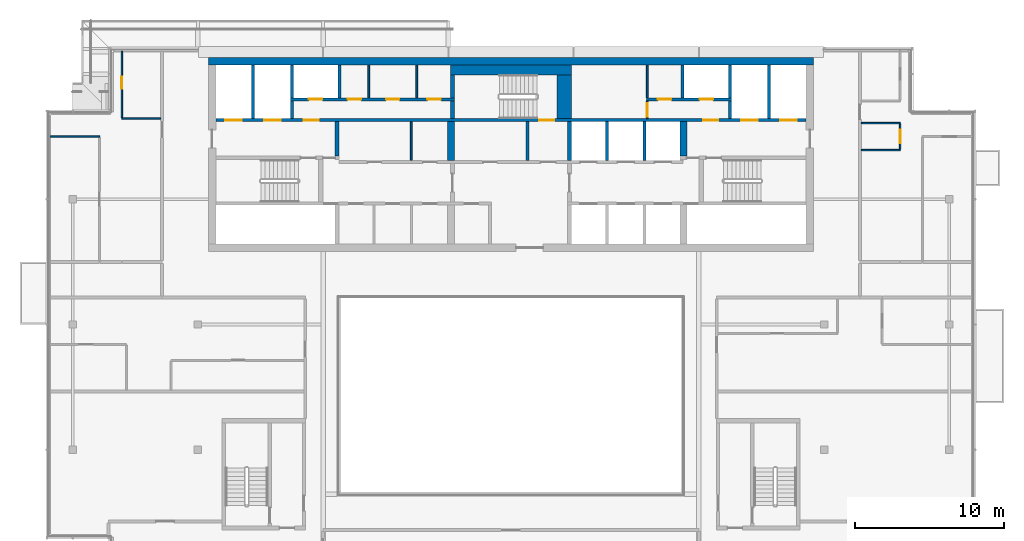
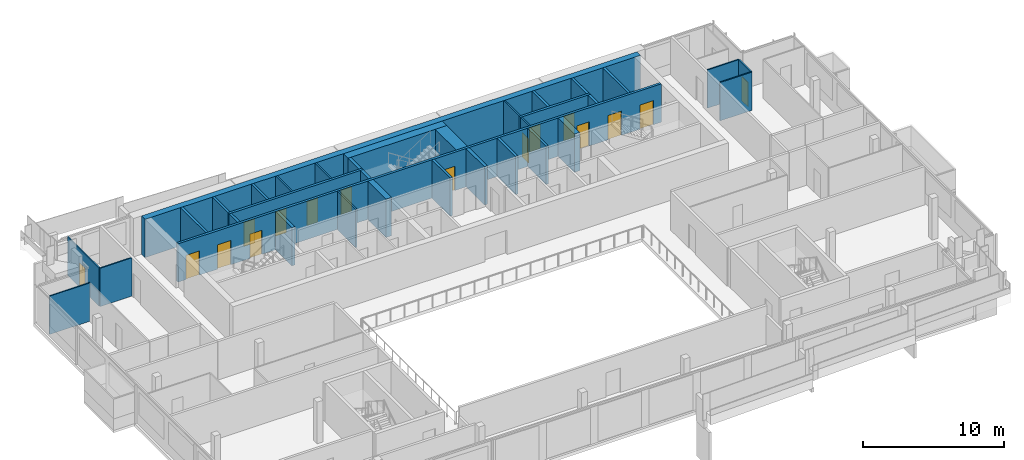
# One storey, part 14 of 21: 34 walls, 16 doors, 16 openings.
"""IFC4 building model written with IfcOpenShell, lengths in metres."""

from ifc_helpers import new_model, si_unit, direction, frame, frame_2d, origin, place, context, subcontext, project, spatial, rectangle, extrude, material, layer, layer_set, type_object, element, fill, save


model = new_model("IFC4")

# Units and contexts
model_context = context("Model", 3, precision=1e-05, world=origin(), true_north=direction((0.0, 1.0)))
body_context = subcontext(model_context, "Body", "Model", "MODEL_VIEW")
ifc_project = project(units=[si_unit("LENGTHUNIT", "METRE"), si_unit("AREAUNIT", "SQUARE_METRE"), si_unit("VOLUMEUNIT", "CUBIC_METRE"), si_unit("PLANEANGLEUNIT", "RADIAN"), si_unit("MASSUNIT", "GRAM", prefix="KILO")], contexts=[model_context])

# Site, building, storey
site_placement = place(None, origin())
site = spatial("IfcSite", under=ifc_project, at=site_placement, CompositionType="ELEMENT")
building_placement = place(site_placement, origin())
building = spatial("IfcBuilding", under=site, at=building_placement, Name="Saffron Gate Tower", CompositionType="ELEMENT")
storey_placement = place(building_placement, frame((0.0, 0.0, 288.75)))
storey = spatial("IfcBuildingStorey", under=building, at=storey_placement, Name="L70", CompositionType="ELEMENT", Elevation=288.75)

# Walls
ifc_material_1 = material(Name="Gypsum board partition on steel studs", Category="steel")
ifc_layer_1 = layer(ifc_material_1, 0.199951171875)
ifc_layer_set_1 = layer_set([ifc_layer_1], Name="CW10 Core partition 200")
wall_type_1 = type_object("IfcWallType", Name="CW10 Core partition 200", PredefinedType="PARTITIONING", material=ifc_layer_set_1)
wall_1_placement = place(storey_placement, frame((88.699951171875, 68.0, 0.0), z_axis=(0.0, 0.0, 1.0), x_axis=(0.0, 1.0, 0.0)))
element("IfcWall", 1, at=wall_1_placement, inside=storey, type_object=wall_type_1, Name="Wall CW10-L70-23", PredefinedType="PARTITIONING", context=body_context, shape_type="SweptSolid", body=[
    extrude(rectangle(XDim=2.60009765625, YDim=0.199951171875, at=frame_2d((1.300048828125, 0.0))), origin(), (0.0, 0.0, 1.0), 3.320068359375),
])
ifc_material_2 = material(Name="Concrete C50", Category="concrete")
ifc_layer_2 = layer(ifc_material_2, 0.5)
ifc_layer_set_2 = layer_set([ifc_layer_2], Name="CW22 RC core wall 500 C50")
wall_type_2 = type_object("IfcWallType", Name="CW22 RC core wall 500 C50", PredefinedType="SOLIDWALL", material=ifc_layer_set_2)
wall_2_placement = place(storey_placement, frame((67.300048828125, 74.64990234375, 0.0), z_axis=(0.0, 0.0, 1.0), x_axis=(1.0, 0.0, 0.0)))
element("IfcWall", 2, at=wall_2_placement, inside=storey, type_object=wall_type_2, Name="Wall CW22-L70-2", PredefinedType="SOLIDWALL", context=body_context, shape_type="SweptSolid", body=[
    extrude(rectangle(XDim=40.599853515625, YDim=0.5, at=frame_2d((20.2998046875, 0.0))), origin(), (0.0, 0.0, 1.0), 3.320068359375),
])
ifc_layer_3 = layer(ifc_material_2, 0.25)
ifc_layer_set_3 = layer_set([ifc_layer_3], Name="CW23 RC core wall 250 C50")
wall_type_3 = type_object("IfcWallType", Name="CW23 RC core wall 250 C50", PredefinedType="SOLIDWALL", material=ifc_layer_set_3)
wall_3_placement = place(storey_placement, frame((91.52490234375, 68.0, 0.0), z_axis=(0.0, 0.0, 1.0), x_axis=(0.0, 1.0, 0.0)))
element("IfcWall", 3, at=wall_3_placement, inside=storey, type_object=wall_type_3, Name="Wall CW23-L70-24", PredefinedType="SOLIDWALL", context=body_context, shape_type="SweptSolid", body=[
    extrude(rectangle(XDim=2.60009765625, YDim=0.25, at=frame_2d((1.300048828125, 0.0))), origin(), (0.0, 0.0, 1.0), 3.320068359375),
])
wall_4_placement = place(storey_placement, frame((75.925048828125, 68.300048828125, 0.0), z_axis=(0.0, 0.0, 1.0), x_axis=(0.0, 1.0, 0.0)))
element("IfcWall", 4, at=wall_4_placement, inside=storey, type_object=wall_type_3, Name="Wall CW23-L70-30", PredefinedType="SOLIDWALL", context=body_context, shape_type="SweptSolid", body=[
    extrude(rectangle(XDim=2.300048828125, YDim=0.25, at=frame_2d((1.14990234375, 0.0))), origin(), (0.0, 0.0, 1.0), 3.320068359375),
])
wall_5_placement = place(storey_placement, frame((83.675048828125, 70.800048828125, 0.0), z_axis=(0.0, 0.0, 1.0), x_axis=(0.0, 1.0, 0.0)))
element("IfcWall", 5, at=wall_5_placement, inside=storey, type_object=wall_type_3, Name="Wall CW23-L70-35", PredefinedType="SOLIDWALL", context=body_context, shape_type="SweptSolid", body=[
    extrude(rectangle(XDim=1.199951171875, YDim=0.25, at=frame_2d((0.60009765625, 0.0))), origin(), (0.0, 0.0, 1.0), 3.320068359375),
])
wall_6_placement = place(storey_placement, frame((83.675048828125, 72.199951171875, 0.0), z_axis=(0.0, 0.0, 1.0), x_axis=(0.0, 1.0, 0.0)))
element("IfcWall", 6, at=wall_6_placement, inside=storey, type_object=wall_type_3, Name="Wall CW23-L70-46", PredefinedType="SOLIDWALL", context=body_context, shape_type="SweptSolid", body=[
    extrude(rectangle(XDim=1.550048828125, YDim=0.25, at=frame_2d((0.77490234375, 0.0))), origin(), (0.0, 0.0, 1.0), 3.320068359375),
])
ifc_layer_4 = layer(ifc_material_2, 0.449951171875)
ifc_layer_set_4 = layer_set([ifc_layer_4], Name="CW24 RC core wall 450 C50")
wall_type_4 = type_object("IfcWallType", Name="CW24 RC core wall 450 C50", PredefinedType="SOLIDWALL", material=ifc_layer_set_4)
wall_7_placement = place(storey_placement, frame((83.574951171875, 68.0, 0.0), z_axis=(0.0, 0.0, 1.0), x_axis=(0.0, 1.0, 0.0)))
element("IfcWall", 7, at=wall_7_placement, inside=storey, type_object=wall_type_4, Name="Wall CW24-L70-22", PredefinedType="SOLIDWALL", context=body_context, shape_type="SweptSolid", body=[
    extrude(rectangle(XDim=2.60009765625, YDim=0.449951171875, at=frame_2d((1.300048828125, 0.0))), origin(), (0.0, 0.0, 1.0), 3.320068359375),
])
wall_8_placement = place(storey_placement, frame((99.175048828125, 68.300048828125, 0.0), z_axis=(0.0, 0.0, 1.0), x_axis=(0.0, 1.0, 0.0)))
element("IfcWall", 8, at=wall_8_placement, inside=storey, type_object=wall_type_4, Name="Wall CW24-L70-31", PredefinedType="SOLIDWALL", context=body_context, shape_type="SweptSolid", body=[
    extrude(rectangle(XDim=2.300048828125, YDim=0.449951171875, at=frame_2d((1.14990234375, 0.0))), origin(), (0.0, 0.0, 1.0), 3.320068359375),
])
ifc_layer_5 = layer(ifc_material_2, 0.199951171875)
ifc_layer_set_5 = layer_set([ifc_layer_5], Name="CW25 RC core wall 200 C50")
wall_type_5 = type_object("IfcWallType", Name="CW25 RC core wall 200 C50", PredefinedType="SOLIDWALL", material=ifc_layer_set_5)
for number, where, z_axis, x_axis, name in (
    (9, (94.050048828125, 68.0, 0.0), (0.0, 0.0, 1.0), (0.0, 1.0, 0.0), "Wall CW25-L70-25"),
    (10, (96.550048828125, 68.0, 0.0), (0.0, 0.0, 1.0), (0.0, 1.0, 0.0), "Wall CW25-L70-26"),
):
    element("IfcWall", number, at=place(storey_placement, frame(where, z_axis=z_axis, x_axis=x_axis)), inside=storey, type_object=wall_type_5, Name=name, PredefinedType="SOLIDWALL", context=body_context, shape_type="SweptSolid", body=[
        extrude(rectangle(XDim=2.60009765625, YDim=0.199951171875, at=frame_2d((1.300048828125, 0.0))), origin(), (0.0, 0.0, 1.0), 3.320068359375),
    ])

# Wall, openings, doors
wall_9_placement = place(storey_placement, frame((67.800048828125, 70.699951171875, 0.0), z_axis=(0.0, 0.0, 1.0), x_axis=(1.0, 0.0, 0.0)))
wall_9 = element("IfcWall", 11, at=wall_9_placement, inside=storey, type_object=wall_type_5, Name="Wall CW25-L70-32", PredefinedType="SOLIDWALL", context=body_context, shape_type="SweptSolid", body=[
    extrude(rectangle(XDim=39.599853515625, YDim=0.199951171875, at=frame_2d((19.7998046875, 0.0))), origin(), (0.0, 0.0, 1.0), 3.320068359375),
])
opening_1_placement = place(wall_9_placement, frame((0.64990234375, 0.0, 0.0)))
opening_1 = element("IfcOpeningElement", 12, at=opening_1_placement, cuts=wall_9, Name="Opening LD-FF1", PredefinedType="OPENING", context=body_context, shape_type="SweptSolid", body=[
    extrude(rectangle(XDim=1.10009765625, YDim=2.10009765625, at=frame_2d((0.550048828125, 1.050048828125))), frame((0.0, 0.10986328125, 0.0), z_axis=(0.0, -1.0, 0.0), x_axis=(1.0, 0.0, 0.0)), (0.0, 0.0, 1.0), 0.219970703125),
])
opening_2_placement = place(wall_9_placement, frame((3.25, 0.0, 0.0)))
opening_2 = element("IfcOpeningElement", 13, at=opening_2_placement, cuts=wall_9, Name="Opening LD-SV1", PredefinedType="OPENING", context=body_context, shape_type="SweptSolid", body=[
    extrude(rectangle(XDim=1.10009765625, YDim=2.10009765625, at=frame_2d((0.550048828125, 1.050048828125))), frame((0.0, 0.10986328125, 0.0), z_axis=(0.0, -1.0, 0.0), x_axis=(1.0, 0.0, 0.0)), (0.0, 0.0, 1.0), 0.219970703125),
])
opening_3_placement = place(wall_9_placement, frame((5.89990234375, 0.0, 0.0)))
opening_3 = element("IfcOpeningElement", 14, at=opening_3_placement, cuts=wall_9, Name="Opening CR-03", PredefinedType="OPENING", context=body_context, shape_type="SweptSolid", body=[
    extrude(rectangle(XDim=1.0, YDim=2.10009765625, at=frame_2d((0.5, 1.050048828125))), frame((0.0, 0.10986328125, 0.0), z_axis=(0.0, -1.0, 0.0), x_axis=(1.0, 0.0, 0.0)), (0.0, 0.0, 1.0), 0.219970703125),
])
opening_4_placement = place(wall_9_placement, frame((21.699951171875, 0.0, 0.0)))
opening_4 = element("IfcOpeningElement", 15, at=opening_4_placement, cuts=wall_9, Name="Opening CR-17", PredefinedType="OPENING", context=body_context, shape_type="SweptSolid", body=[
    extrude(rectangle(XDim=1.0, YDim=2.10009765625, at=frame_2d((0.5, 1.050048828125))), frame((0.0, 0.10986328125, 0.0), z_axis=(0.0, -1.0, 0.0), x_axis=(1.0, 0.0, 0.0)), (0.0, 0.0, 1.0), 0.219970703125),
])
opening_5_placement = place(wall_9_placement, frame((32.699951171875, 0.0, 0.0)))
opening_5 = element("IfcOpeningElement", 16, at=opening_5_placement, cuts=wall_9, Name="Opening CR-04", PredefinedType="OPENING", context=body_context, shape_type="SweptSolid", body=[
    extrude(rectangle(XDim=1.0, YDim=2.10009765625, at=frame_2d((0.5, 1.050048828125))), frame((0.0, 0.10986328125, 0.0), z_axis=(0.0, -1.0, 0.0), x_axis=(1.0, 0.0, 0.0)), (0.0, 0.0, 1.0), 0.219970703125),
])
opening_6_placement = place(wall_9_placement, frame((35.25, 0.0, 0.0)))
opening_6 = element("IfcOpeningElement", 17, at=opening_6_placement, cuts=wall_9, Name="Opening LD-SV2", PredefinedType="OPENING", context=body_context, shape_type="SweptSolid", body=[
    extrude(rectangle(XDim=1.10009765625, YDim=2.10009765625, at=frame_2d((0.550048828125, 1.050048828125))), frame((0.0, 0.10986328125, 0.0), z_axis=(0.0, -1.0, 0.0), x_axis=(1.0, 0.0, 0.0)), (0.0, 0.0, 1.0), 0.219970703125),
])
opening_7_placement = place(wall_9_placement, frame((37.85009765625, 0.0, 0.0)))
opening_7 = element("IfcOpeningElement", 18, at=opening_7_placement, cuts=wall_9, Name="Opening LD-FF2", PredefinedType="OPENING", context=body_context, shape_type="SweptSolid", body=[
    extrude(rectangle(XDim=1.10009765625, YDim=2.10009765625, at=frame_2d((0.550048828125, 1.050048828125))), frame((0.0, 0.10986328125, 0.0), z_axis=(0.0, -1.0, 0.0), x_axis=(1.0, 0.0, 0.0)), (0.0, 0.0, 1.0), 0.219970703125),
])
ifc_material_3 = material(Name="Steel fire door set", Category="steel")
door_type_1 = type_object("IfcDoorType", Name="CD4 Lobby door 1000x2100 EI 120", OperationType="NOTDEFINED", PredefinedType="DOOR", material=ifc_material_3)
door_1_placement = place(opening_3_placement, origin())
door_1 = element("IfcDoor", 19, at=door_1_placement, inside=storey, type_object=door_type_1, Name="DOOR CR-03", OperationType="SINGLE_SWING_LEFT", OverallHeight=2.10009765625, OverallWidth=1.0, PredefinedType="DOOR", context=body_context, shape_type="SweptSolid", body=[
    extrude(rectangle(XDim=1.0, YDim=2.10009765625, at=frame_2d((0.5, 1.050048828125))), frame((0.0, 0.02490234375, 0.0), z_axis=(0.0, -1.0, 0.0), x_axis=(1.0, 0.0, 0.0)), (0.0, 0.0, 1.0), 0.050048828125),
])
fill(opening_3, door_1)
door_2_placement = place(opening_5_placement, origin())
door_2 = element("IfcDoor", 20, at=door_2_placement, inside=storey, type_object=door_type_1, Name="DOOR CR-04", OperationType="SINGLE_SWING_RIGHT", OverallHeight=2.10009765625, OverallWidth=1.0, PredefinedType="DOOR", context=body_context, shape_type="SweptSolid", body=[
    extrude(rectangle(XDim=1.0, YDim=2.10009765625, at=frame_2d((0.5, 1.050048828125))), frame((0.0, 0.02490234375, 0.0), z_axis=(0.0, -1.0, 0.0), x_axis=(1.0, 0.0, 0.0)), (0.0, 0.0, 1.0), 0.050048828125),
])
fill(opening_5, door_2)
door_type_2 = type_object("IfcDoorType", Name="CD5 Stair door 1000x2100 EI 120", OperationType="NOTDEFINED", PredefinedType="DOOR", material=ifc_material_3)
door_3_placement = place(opening_4_placement, origin())
door_3 = element("IfcDoor", 21, at=door_3_placement, inside=storey, type_object=door_type_2, Name="DOOR CR-17", OperationType="SINGLE_SWING_RIGHT", OverallHeight=2.10009765625, OverallWidth=1.0, PredefinedType="DOOR", context=body_context, shape_type="SweptSolid", body=[
    extrude(rectangle(XDim=1.0, YDim=2.10009765625, at=frame_2d((0.5, 1.050048828125))), frame((0.0, 0.02490234375, 0.0), z_axis=(0.0, -1.0, 0.0), x_axis=(1.0, 0.0, 0.0)), (0.0, 0.0, 1.0), 0.050048828125),
])
fill(opening_4, door_3)
ifc_material_4 = material(Name="Stainless steel landing door", Category="steel")
door_type_3 = type_object("IfcDoorType", Name="LD Lift landing door 1100x2100 EI 120", OperationType="SLIDING_TO_LEFT", PredefinedType="DOOR", material=ifc_material_4)
door_4_placement = place(opening_1_placement, origin())
door_4 = element("IfcDoor", 22, at=door_4_placement, inside=storey, type_object=door_type_3, Name="LANDING DOOR LD-FF1", OperationType="SLIDING_TO_RIGHT", OverallHeight=2.10009765625, OverallWidth=1.10009765625, PredefinedType="DOOR", context=body_context, shape_type="SweptSolid", body=[
    extrude(rectangle(XDim=1.10009765625, YDim=2.10009765625, at=frame_2d((0.550048828125, 1.050048828125))), frame((0.0, 0.02490234375, 0.0), z_axis=(0.0, -1.0, 0.0), x_axis=(1.0, 0.0, 0.0)), (0.0, 0.0, 1.0), 0.050048828125),
])
fill(opening_1, door_4)
door_5_placement = place(opening_2_placement, origin())
door_5 = element("IfcDoor", 23, at=door_5_placement, inside=storey, type_object=door_type_3, Name="LANDING DOOR LD-SV1", OperationType="SLIDING_TO_RIGHT", OverallHeight=2.10009765625, OverallWidth=1.10009765625, PredefinedType="DOOR", context=body_context, shape_type="SweptSolid", body=[
    extrude(rectangle(XDim=1.10009765625, YDim=2.10009765625, at=frame_2d((0.550048828125, 1.050048828125))), frame((0.0, 0.02490234375, 0.0), z_axis=(0.0, -1.0, 0.0), x_axis=(1.0, 0.0, 0.0)), (0.0, 0.0, 1.0), 0.050048828125),
])
fill(opening_2, door_5)
door_6_placement = place(opening_6_placement, origin())
door_6 = element("IfcDoor", 24, at=door_6_placement, inside=storey, type_object=door_type_3, Name="LANDING DOOR LD-SV2", OperationType="SLIDING_TO_RIGHT", OverallHeight=2.10009765625, OverallWidth=1.10009765625, PredefinedType="DOOR", context=body_context, shape_type="SweptSolid", body=[
    extrude(rectangle(XDim=1.10009765625, YDim=2.10009765625, at=frame_2d((0.550048828125, 1.050048828125))), frame((0.0, 0.02490234375, 0.0), z_axis=(0.0, -1.0, 0.0), x_axis=(1.0, 0.0, 0.0)), (0.0, 0.0, 1.0), 0.050048828125),
])
fill(opening_6, door_6)
door_7_placement = place(opening_7_placement, origin())
door_7 = element("IfcDoor", 25, at=door_7_placement, inside=storey, type_object=door_type_3, Name="LANDING DOOR LD-FF2", OperationType="SLIDING_TO_RIGHT", OverallHeight=2.10009765625, OverallWidth=1.10009765625, PredefinedType="DOOR", context=body_context, shape_type="SweptSolid", body=[
    extrude(rectangle(XDim=1.10009765625, YDim=2.10009765625, at=frame_2d((0.550048828125, 1.050048828125))), frame((0.0, 0.02490234375, 0.0), z_axis=(0.0, -1.0, 0.0), x_axis=(1.0, 0.0, 0.0)), (0.0, 0.0, 1.0), 0.050048828125),
])
fill(opening_7, door_7)

# Walls
wall_10_placement = place(storey_placement, frame((70.300048828125, 70.800048828125, 0.0), z_axis=(0.0, 0.0, 1.0), x_axis=(0.0, 1.0, 0.0)))
element("IfcWall", 26, at=wall_10_placement, inside=storey, type_object=wall_type_5, Name="Wall CW25-L70-33", PredefinedType="SOLIDWALL", context=body_context, shape_type="SweptSolid", body=[
    extrude(rectangle(XDim=3.599853515625, YDim=0.199951171875, at=frame_2d((1.7998046875, 0.0))), origin(), (0.0, 0.0, 1.0), 3.320068359375),
])
for number, where, z_axis, x_axis, name in (
    (27, (72.89990234375, 70.800048828125, 0.0), (0.0, 0.0, 1.0), (0.0, 1.0, 0.0), "Wall CW25-L70-34"),
    (28, (102.300048828125, 70.800048828125, 0.0), (0.0, 0.0, 1.0), (0.0, 1.0, 0.0), "Wall CW25-L70-38"),
):
    element("IfcWall", number, at=place(storey_placement, frame(where, z_axis=z_axis, x_axis=x_axis)), inside=storey, type_object=wall_type_5, Name=name, PredefinedType="SOLIDWALL", context=body_context, shape_type="SweptSolid", body=[
        extrude(rectangle(XDim=1.199951171875, YDim=0.199951171875, at=frame_2d((0.60009765625, 0.0))), origin(), (0.0, 0.0, 1.0), 3.320068359375),
    ])
wall_11_placement = place(storey_placement, frame((104.89990234375, 70.800048828125, 0.0), z_axis=(0.0, 0.0, 1.0), x_axis=(0.0, 1.0, 0.0)))
element("IfcWall", 29, at=wall_11_placement, inside=storey, type_object=wall_type_5, Name="Wall CW25-L70-39", PredefinedType="SOLIDWALL", context=body_context, shape_type="SweptSolid", body=[
    extrude(rectangle(XDim=3.599853515625, YDim=0.199951171875, at=frame_2d((1.7998046875, 0.0))), origin(), (0.0, 0.0, 1.0), 3.320068359375),
])

# Wall, openings, doors
wall_12_placement = place(storey_placement, frame((72.800048828125, 72.10009765625, 0.0), z_axis=(0.0, 0.0, 1.0), x_axis=(1.0, 0.0, 0.0)))
wall_12 = element("IfcWall", 30, at=wall_12_placement, inside=storey, type_object=wall_type_5, Name="Wall CW25-L70-40", PredefinedType="SOLIDWALL", context=body_context, shape_type="SweptSolid", body=[
    extrude(rectangle(XDim=11.0, YDim=0.199951171875, at=frame_2d((5.5, 0.0))), origin(), (0.0, 0.0, 1.0), 3.320068359375),
])
opening_8_placement = place(wall_12_placement, frame((1.25, 0.0, 0.0)))
opening_8 = element("IfcOpeningElement", 31, at=opening_8_placement, cuts=wall_12, Name="Opening CR-71", PredefinedType="OPENING", context=body_context, shape_type="SweptSolid", body=[
    extrude(rectangle(XDim=0.89990234375, YDim=2.10009765625, at=frame_2d((0.449951171875, 1.050048828125))), frame((0.0, 0.10986328125, 0.0), z_axis=(0.0, -1.0, 0.0), x_axis=(1.0, 0.0, 0.0)), (0.0, 0.0, 1.0), 0.219970703125),
])
opening_9_placement = place(wall_12_placement, frame((3.85009765625, 0.0, 0.0)))
opening_9 = element("IfcOpeningElement", 32, at=opening_9_placement, cuts=wall_12, Name="Opening CR-55", PredefinedType="OPENING", context=body_context, shape_type="SweptSolid", body=[
    extrude(rectangle(XDim=0.89990234375, YDim=2.10009765625, at=frame_2d((0.449951171875, 1.050048828125))), frame((0.0, 0.10986328125, 0.0), z_axis=(0.0, -1.0, 0.0), x_axis=(1.0, 0.0, 0.0)), (0.0, 0.0, 1.0), 0.219970703125),
])
opening_10_placement = place(wall_12_placement, frame((6.419921875, 0.0, 0.0)))
opening_10 = element("IfcOpeningElement", 33, at=opening_10_placement, cuts=wall_12, Name="Opening CR-58", PredefinedType="OPENING", context=body_context, shape_type="SweptSolid", body=[
    extrude(rectangle(XDim=0.89990234375, YDim=2.10009765625, at=frame_2d((0.449951171875, 1.050048828125))), frame((0.0, 0.10986328125, 0.0), z_axis=(0.0, -1.0, 0.0), x_axis=(1.0, 0.0, 0.0)), (0.0, 0.0, 1.0), 0.219970703125),
])
opening_11_placement = place(wall_12_placement, frame((9.195068359375, 0.0, 0.0)))
opening_11 = element("IfcOpeningElement", 34, at=opening_11_placement, cuts=wall_12, Name="Opening CR-59", PredefinedType="OPENING", context=body_context, shape_type="SweptSolid", body=[
    extrude(rectangle(XDim=0.89990234375, YDim=2.10009765625, at=frame_2d((0.449951171875, 1.050048828125))), frame((0.0, 0.10986328125, 0.0), z_axis=(0.0, -1.0, 0.0), x_axis=(1.0, 0.0, 0.0)), (0.0, 0.0, 1.0), 0.219970703125),
])
door_type_4 = type_object("IfcDoorType", Name="CD2 Riser door 900x2100 EI 60", OperationType="NOTDEFINED", PredefinedType="DOOR", material=ifc_material_3)
door_8_placement = place(opening_8_placement, origin())
door_8 = element("IfcDoor", 35, at=door_8_placement, inside=storey, type_object=door_type_4, Name="DOOR CR-71", OperationType="SINGLE_SWING_LEFT", OverallHeight=2.10009765625, OverallWidth=0.89990234375, PredefinedType="DOOR", context=body_context, shape_type="SweptSolid", body=[
    extrude(rectangle(XDim=0.89990234375, YDim=2.10009765625, at=frame_2d((0.449951171875, 1.050048828125))), frame((0.0, 0.02490234375, 0.0), z_axis=(0.0, -1.0, 0.0), x_axis=(1.0, 0.0, 0.0)), (0.0, 0.0, 1.0), 0.050048828125),
])
fill(opening_8, door_8)
door_type_5 = type_object("IfcDoorType", Name="CD9 Room door 900x2100 EI 60", OperationType="NOTDEFINED", PredefinedType="DOOR", material=ifc_material_3)
door_9_placement = place(opening_9_placement, origin())
door_9 = element("IfcDoor", 36, at=door_9_placement, inside=storey, type_object=door_type_5, Name="DOOR CR-55", OperationType="SINGLE_SWING_LEFT", OverallHeight=2.10009765625, OverallWidth=0.89990234375, PredefinedType="DOOR", context=body_context, shape_type="SweptSolid", body=[
    extrude(rectangle(XDim=0.89990234375, YDim=2.10009765625, at=frame_2d((0.449951171875, 1.050048828125))), frame((0.0, 0.02490234375, 0.0), z_axis=(0.0, -1.0, 0.0), x_axis=(1.0, 0.0, 0.0)), (0.0, 0.0, 1.0), 0.050048828125),
])
fill(opening_9, door_9)
door_10_placement = place(opening_10_placement, origin())
door_10 = element("IfcDoor", 37, at=door_10_placement, inside=storey, type_object=door_type_5, Name="DOOR CR-58", OperationType="SINGLE_SWING_LEFT", OverallHeight=2.10009765625, OverallWidth=0.89990234375, PredefinedType="DOOR", context=body_context, shape_type="SweptSolid", body=[
    extrude(rectangle(XDim=0.89990234375, YDim=2.10009765625, at=frame_2d((0.449951171875, 1.050048828125))), frame((0.0, 0.02490234375, 0.0), z_axis=(0.0, -1.0, 0.0), x_axis=(1.0, 0.0, 0.0)), (0.0, 0.0, 1.0), 0.050048828125),
])
fill(opening_10, door_10)
door_11_placement = place(opening_11_placement, origin())
door_11 = element("IfcDoor", 38, at=door_11_placement, inside=storey, type_object=door_type_5, Name="DOOR CR-59", OperationType="SINGLE_SWING_LEFT", OverallHeight=2.10009765625, OverallWidth=0.89990234375, PredefinedType="DOOR", context=body_context, shape_type="SweptSolid", body=[
    extrude(rectangle(XDim=0.89990234375, YDim=2.10009765625, at=frame_2d((0.449951171875, 1.050048828125))), frame((0.0, 0.02490234375, 0.0), z_axis=(0.0, -1.0, 0.0), x_axis=(1.0, 0.0, 0.0)), (0.0, 0.0, 1.0), 0.050048828125),
])
fill(opening_11, door_11)

wall_13_placement = place(storey_placement, frame((96.679931640625, 72.10009765625, 0.0), z_axis=(0.0, 0.0, 1.0), x_axis=(1.0, 0.0, 0.0)))
wall_13 = element("IfcWall", 39, at=wall_13_placement, inside=storey, type_object=wall_type_5, Name="Wall CW25-L70-41", PredefinedType="SOLIDWALL", context=body_context, shape_type="SweptSolid", body=[
    extrude(rectangle(XDim=5.719970703125, YDim=0.199951171875, at=frame_2d((2.85986328125, 0.0))), origin(), (0.0, 0.0, 1.0), 3.320068359375),
])
opening_12_placement = place(wall_13_placement, frame((0.77001953125, 0.0, 0.0)))
opening_12 = element("IfcOpeningElement", 40, at=opening_12_placement, cuts=wall_13, Name="Opening CR-50", PredefinedType="OPENING", context=body_context, shape_type="SweptSolid", body=[
    extrude(rectangle(XDim=0.89990234375, YDim=2.10009765625, at=frame_2d((0.449951171875, 1.050048828125))), frame((0.0, 0.10986328125, 0.0), z_axis=(0.0, -1.0, 0.0), x_axis=(1.0, 0.0, 0.0)), (0.0, 0.0, 1.0), 0.219970703125),
])
opening_13_placement = place(wall_13_placement, frame((3.570068359375, 0.0, 0.0)))
opening_13 = element("IfcOpeningElement", 41, at=opening_13_placement, cuts=wall_13, Name="Opening CR-70", PredefinedType="OPENING", context=body_context, shape_type="SweptSolid", body=[
    extrude(rectangle(XDim=0.89990234375, YDim=2.10009765625, at=frame_2d((0.449951171875, 1.050048828125))), frame((0.0, 0.10986328125, 0.0), z_axis=(0.0, -1.0, 0.0), x_axis=(1.0, 0.0, 0.0)), (0.0, 0.0, 1.0), 0.219970703125),
])
door_12_placement = place(opening_13_placement, origin())
door_12 = element("IfcDoor", 42, at=door_12_placement, inside=storey, type_object=door_type_4, Name="DOOR CR-70", OperationType="SINGLE_SWING_LEFT", OverallHeight=2.10009765625, OverallWidth=0.89990234375, PredefinedType="DOOR", context=body_context, shape_type="SweptSolid", body=[
    extrude(rectangle(XDim=0.89990234375, YDim=2.10009765625, at=frame_2d((0.449951171875, 1.050048828125))), frame((0.0, 0.02490234375, 0.0), z_axis=(0.0, -1.0, 0.0), x_axis=(1.0, 0.0, 0.0)), (0.0, 0.0, 1.0), 0.050048828125),
])
fill(opening_13, door_12)
door_13_placement = place(opening_12_placement, origin())
door_13 = element("IfcDoor", 43, at=door_13_placement, inside=storey, type_object=door_type_5, Name="DOOR CR-50", OperationType="SINGLE_SWING_LEFT", OverallHeight=2.10009765625, OverallWidth=0.89990234375, PredefinedType="DOOR", context=body_context, shape_type="SweptSolid", body=[
    extrude(rectangle(XDim=0.89990234375, YDim=2.10009765625, at=frame_2d((0.449951171875, 1.050048828125))), frame((0.0, 0.02490234375, 0.0), z_axis=(0.0, -1.0, 0.0), x_axis=(1.0, 0.0, 0.0)), (0.0, 0.0, 1.0), 0.050048828125),
])
fill(opening_12, door_13)

# Walls
for number, where, z_axis, x_axis, name in (
    (44, (72.89990234375, 72.199951171875, 0.0), (0.0, 0.0, 1.0), (0.0, 1.0, 0.0), "Wall CW25-L70-42"),
    (45, (76.10009765625, 72.199951171875, 0.0), (0.0, 0.0, 1.0), (0.0, 1.0, 0.0), "Wall CW25-L70-43"),
    (46, (99.10009765625, 72.199951171875, 0.0), (0.0, 0.0, 1.0), (0.0, 1.0, 0.0), "Wall CW25-L70-48"),
    (47, (102.300048828125, 72.199951171875, 0.0), (0.0, 0.0, 1.0), (0.0, 1.0, 0.0), "Wall CW25-L70-49"),
):
    element("IfcWall", number, at=place(storey_placement, frame(where, z_axis=z_axis, x_axis=x_axis)), inside=storey, type_object=wall_type_5, Name=name, PredefinedType="SOLIDWALL", context=body_context, shape_type="SweptSolid", body=[
        extrude(rectangle(XDim=2.199951171875, YDim=0.199951171875, at=frame_2d((1.10009765625, 0.0))), origin(), (0.0, 0.0, 1.0), 3.320068359375),
    ])
ifc_layer_6 = layer(ifc_material_2, 0.949951171875)
ifc_layer_set_6 = layer_set([ifc_layer_6], Name="CW28 RC core wall 950 C50")
wall_type_6 = type_object("IfcWallType", Name="CW28 RC core wall 950 C50", PredefinedType="SOLIDWALL", material=ifc_layer_set_6)
wall_14_placement = place(storey_placement, frame((91.175048828125, 70.800048828125, 0.0), z_axis=(0.0, 0.0, 1.0), x_axis=(0.0, 1.0, 0.0)))
element("IfcWall", 48, at=wall_14_placement, inside=storey, type_object=wall_type_6, Name="Wall CW28-L70-36", PredefinedType="SOLIDWALL", context=body_context, shape_type="SweptSolid", body=[
    extrude(rectangle(XDim=2.949951171875, YDim=0.949951171875, at=frame_2d((1.47509765625, 0.0))), origin(), (0.0, 0.0, 1.0), 3.320068359375),
])
ifc_layer_7 = layer(ifc_material_2, 0.64990234375)
ifc_layer_set_7 = layer_set([ifc_layer_7], Name="CW29 RC core wall 650 C50")
wall_type_7 = type_object("IfcWallType", Name="CW29 RC core wall 650 C50", PredefinedType="SOLIDWALL", material=ifc_layer_set_7)
wall_15_placement = place(storey_placement, frame((83.550048828125, 74.074951171875, 0.0), z_axis=(0.0, 0.0, 1.0), x_axis=(1.0, 0.0, 0.0)))
element("IfcWall", 49, at=wall_15_placement, inside=storey, type_object=wall_type_7, Name="Wall CW29-L70-50", PredefinedType="SOLIDWALL", context=body_context, shape_type="SweptSolid", body=[
    extrude(rectangle(XDim=8.099853515625, YDim=0.64990234375, at=frame_2d((4.0498046875, 0.0))), origin(), (0.0, 0.0, 1.0), 3.320068359375),
])
ifc_layer_8 = layer(ifc_material_1, 0.1201171875)
ifc_layer_set_8 = layer_set([ifc_layer_8], Name="CW8 Core partition 120")
wall_type_8 = type_object("IfcWallType", Name="CW8 Core partition 120", PredefinedType="PARTITIONING", material=ifc_layer_set_8)
wall_16_placement = place(storey_placement, frame((80.909912109375, 68.0, 0.0), z_axis=(0.0, 0.0, 1.0), x_axis=(0.0, 1.0, 0.0)))
element("IfcWall", 50, at=wall_16_placement, inside=storey, type_object=wall_type_8, Name="Wall CW8-L70-21", PredefinedType="PARTITIONING", context=body_context, shape_type="SweptSolid", body=[
    extrude(rectangle(XDim=2.60009765625, YDim=0.1201171875, at=frame_2d((1.300048828125, 0.0))), origin(), (0.0, 0.0, 1.0), 3.320068359375),
])

# Wall, opening, door
wall_17_placement = place(storey_placement, frame((96.739990234375, 70.800048828125, 0.0), z_axis=(0.0, 0.0, 1.0), x_axis=(0.0, 1.0, 0.0)))
wall_17 = element("IfcWall", 51, at=wall_17_placement, inside=storey, type_object=wall_type_8, Name="Wall CW8-L70-37", PredefinedType="PARTITIONING", context=body_context, shape_type="SweptSolid", body=[
    extrude(rectangle(XDim=1.199951171875, YDim=0.1201171875, at=frame_2d((0.60009765625, 0.0))), origin(), (0.0, 0.0, 1.0), 3.320068359375),
])
opening_14_placement = place(wall_17_placement, frame((0.14990234375, 0.0, 0.0)))
opening_14 = element("IfcOpeningElement", 52, at=opening_14_placement, cuts=wall_17, Name="Opening CR-54", PredefinedType="OPENING", context=body_context, shape_type="SweptSolid", body=[
    extrude(rectangle(XDim=0.89990234375, YDim=2.10009765625, at=frame_2d((0.449951171875, 1.050048828125))), frame((0.0, 0.070068359375, 0.0), z_axis=(0.0, -1.0, 0.0), x_axis=(1.0, 0.0, 0.0)), (0.0, 0.0, 1.0), 0.14013671875),
])
door_14_placement = place(opening_14_placement, origin())
door_14 = element("IfcDoor", 53, at=door_14_placement, inside=storey, type_object=door_type_5, Name="DOOR CR-54", OperationType="SINGLE_SWING_LEFT", OverallHeight=2.10009765625, OverallWidth=0.89990234375, PredefinedType="DOOR", context=body_context, shape_type="SweptSolid", body=[
    extrude(rectangle(XDim=0.89990234375, YDim=2.10009765625, at=frame_2d((0.449951171875, 1.050048828125))), frame((0.0, 0.02490234375, 0.0), z_axis=(0.0, -1.0, 0.0), x_axis=(1.0, 0.0, 0.0)), (0.0, 0.0, 1.0), 0.050048828125),
])
fill(opening_14, door_14)

# Walls
for number, where, z_axis, x_axis, name in (
    (54, (78.06005859375, 72.199951171875, 0.0), (0.0, 0.0, 1.0), (0.0, 1.0, 0.0), "Wall CW8-L70-44"),
    (55, (81.280029296875, 72.199951171875, 0.0), (0.0, 0.0, 1.0), (0.0, 1.0, 0.0), "Wall CW8-L70-45"),
    (56, (96.739990234375, 72.199951171875, 0.0), (0.0, 0.0, 1.0), (0.0, 1.0, 0.0), "Wall CW8-L70-47"),
):
    element("IfcWall", number, at=place(storey_placement, frame(where, z_axis=z_axis, x_axis=x_axis)), inside=storey, type_object=wall_type_8, Name=name, PredefinedType="PARTITIONING", context=body_context, shape_type="SweptSolid", body=[
        extrude(rectangle(XDim=2.199951171875, YDim=0.1201171875, at=frame_2d((1.10009765625, 0.0))), origin(), (0.0, 0.0, 1.0), 3.320068359375),
    ])
ifc_material_5 = material(Name="Plasterboard on steel studs", Category="steel")
ifc_layer_9 = layer(ifc_material_5, 0.10009765625)
ifc_layer_set_9 = layer_set([ifc_layer_9], Name="PW1 Partition 100")
wall_type_9 = type_object("IfcWallType", Name="PW1 Partition 100", PredefinedType="PARTITIONING", material=ifc_layer_set_9)
wall_18_placement = place(storey_placement, frame((111.10009765625, 68.699951171875, 0.0), z_axis=(0.0, 0.0, 1.0), x_axis=(1.0, 0.0, 0.0)))
element("IfcWall", 57, at=wall_18_placement, inside=storey, type_object=wall_type_9, Name="Partition E5-23", PredefinedType="PARTITIONING", context=body_context, shape_type="SweptSolid", body=[
    extrude(rectangle(XDim=2.599853515625, YDim=0.10009765625, at=frame_2d((1.2998046875, 0.0))), origin(), (0.0, 0.0, 1.0), 3.320068359375),
])
wall_19_placement = place(storey_placement, frame((56.679931640625, 69.60009765625, 0.0), z_axis=(0.0, 0.0, 1.0), x_axis=(1.0, 0.0, 0.0)))
element("IfcWall", 58, at=wall_19_placement, inside=storey, type_object=wall_type_9, Name="Partition E5-24", PredefinedType="PARTITIONING", context=body_context, shape_type="SweptSolid", body=[
    extrude(rectangle(XDim=3.320068359375, YDim=0.10009765625, at=frame_2d((1.66015625, 0.0))), origin(), (0.0, 0.0, 1.0), 3.320068359375),
])
wall_20_placement = place(storey_placement, frame((111.10009765625, 70.5, 0.0), z_axis=(0.0, 0.0, 1.0), x_axis=(1.0, 0.0, 0.0)))
element("IfcWall", 59, at=wall_20_placement, inside=storey, type_object=wall_type_9, Name="Partition E5-26", PredefinedType="PARTITIONING", context=body_context, shape_type="SweptSolid", body=[
    extrude(rectangle(XDim=2.599853515625, YDim=0.10009765625, at=frame_2d((1.2998046875, 0.0))), origin(), (0.0, 0.0, 1.0), 3.320068359375),
])
wall_21_placement = place(storey_placement, frame((61.5, 70.800048828125, 0.0), z_axis=(0.0, 0.0, 1.0), x_axis=(1.0, 0.0, 0.0)))
element("IfcWall", 60, at=wall_21_placement, inside=storey, type_object=wall_type_9, Name="Partition E5-27", PredefinedType="PARTITIONING", context=body_context, shape_type="SweptSolid", body=[
    extrude(rectangle(XDim=2.60009765625, YDim=0.10009765625, at=frame_2d((1.300048828125, 0.0))), origin(), (0.0, 0.0, 1.0), 3.320068359375),
])

# Wall, opening, door
wall_22_placement = place(storey_placement, frame((61.5, 75.320068359375, 0.0), z_axis=(0.0, 0.0, 1.0), x_axis=(0.0, -1.0, 0.0)))
wall_22 = element("IfcWall", 61, at=wall_22_placement, inside=storey, type_object=wall_type_9, Name="Partition E5-31", PredefinedType="PARTITIONING", context=body_context, shape_type="SweptSolid", body=[
    extrude(rectangle(XDim=4.469970703125, YDim=0.10009765625, at=frame_2d((2.23486328125, 0.0))), origin(), (0.0, 0.0, 1.0), 3.320068359375),
])
opening_15_placement = place(wall_22_placement, frame((1.719970703125, 0.0, 0.0)))
opening_15 = element("IfcOpeningElement", 62, at=opening_15_placement, cuts=wall_22, Name="Opening E5-11", PredefinedType="OPENING", context=body_context, shape_type="SweptSolid", body=[
    extrude(rectangle(XDim=0.800048828125, YDim=2.10009765625, at=frame_2d((0.39990234375, 1.050048828125))), frame((0.0, 0.06005859375, 0.0), z_axis=(0.0, -1.0, 0.0), x_axis=(1.0, 0.0, 0.0)), (0.0, 0.0, 1.0), 0.1201171875),
])
ifc_material_6 = material(Name="Timber door set", Category="wood")
door_type_6 = type_object("IfcDoorType", Name="RD2 Bathroom door 800x2100", OperationType="NOTDEFINED", PredefinedType="DOOR", material=ifc_material_6)
door_15_placement = place(opening_15_placement, origin())
door_15 = element("IfcDoor", 63, at=door_15_placement, inside=storey, type_object=door_type_6, Name="Door E5-11", OperationType="SINGLE_SWING_LEFT", OverallHeight=2.10009765625, OverallWidth=0.800048828125, PredefinedType="DOOR", context=body_context, shape_type="SweptSolid", body=[
    extrude(rectangle(XDim=0.800048828125, YDim=2.10009765625, at=frame_2d((0.39990234375, 1.050048828125))), frame((0.0, 0.02490234375, 0.0), z_axis=(0.0, -1.0, 0.0), x_axis=(1.0, 0.0, 0.0)), (0.0, 0.0, 1.0), 0.050048828125),
])
fill(opening_15, door_15)

wall_23_placement = place(storey_placement, frame((113.699951171875, 68.75, 0.0), z_axis=(0.0, 0.0, 1.0), x_axis=(0.0, 1.0, 0.0)))
wall_23 = element("IfcWall", 64, at=wall_23_placement, inside=storey, type_object=wall_type_9, Name="Partition E5-44", PredefinedType="PARTITIONING", context=body_context, shape_type="SweptSolid", body=[
    extrude(rectangle(XDim=1.699951171875, YDim=0.10009765625, at=frame_2d((0.85009765625, 0.0))), origin(), (0.0, 0.0, 1.0), 3.320068359375),
])
opening_16_placement = place(wall_23_placement, frame((0.39990234375, 0.0, 0.0)))
opening_16 = element("IfcOpeningElement", 65, at=opening_16_placement, cuts=wall_23, Name="Opening E5-9", PredefinedType="OPENING", context=body_context, shape_type="SweptSolid", body=[
    extrude(rectangle(XDim=0.89990234375, YDim=2.10009765625, at=frame_2d((0.449951171875, 1.050048828125))), frame((0.0, 0.06005859375, 0.0), z_axis=(0.0, -1.0, 0.0), x_axis=(1.0, 0.0, 0.0)), (0.0, 0.0, 1.0), 0.1201171875),
])
door_type_7 = type_object("IfcDoorType", Name="RD1 Room door 900x2100", OperationType="NOTDEFINED", PredefinedType="DOOR", material=ifc_material_6)
door_16_placement = place(opening_16_placement, origin())
door_16 = element("IfcDoor", 66, at=door_16_placement, inside=storey, type_object=door_type_7, Name="Door E5-9", OperationType="SINGLE_SWING_LEFT", OverallHeight=2.10009765625, OverallWidth=0.89990234375, PredefinedType="DOOR", context=body_context, shape_type="SweptSolid", body=[
    extrude(rectangle(XDim=0.89990234375, YDim=2.10009765625, at=frame_2d((0.449951171875, 1.050048828125))), frame((0.0, 0.02490234375, 0.0), z_axis=(0.0, -1.0, 0.0), x_axis=(1.0, 0.0, 0.0)), (0.0, 0.0, 1.0), 0.050048828125),
])
fill(opening_16, door_16)

save(model, "model.ifc")
